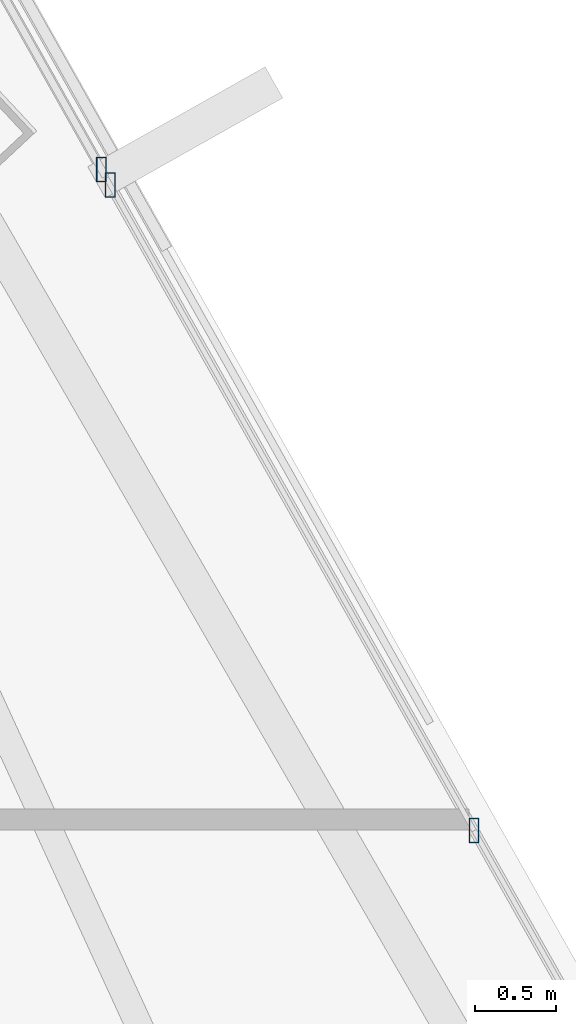
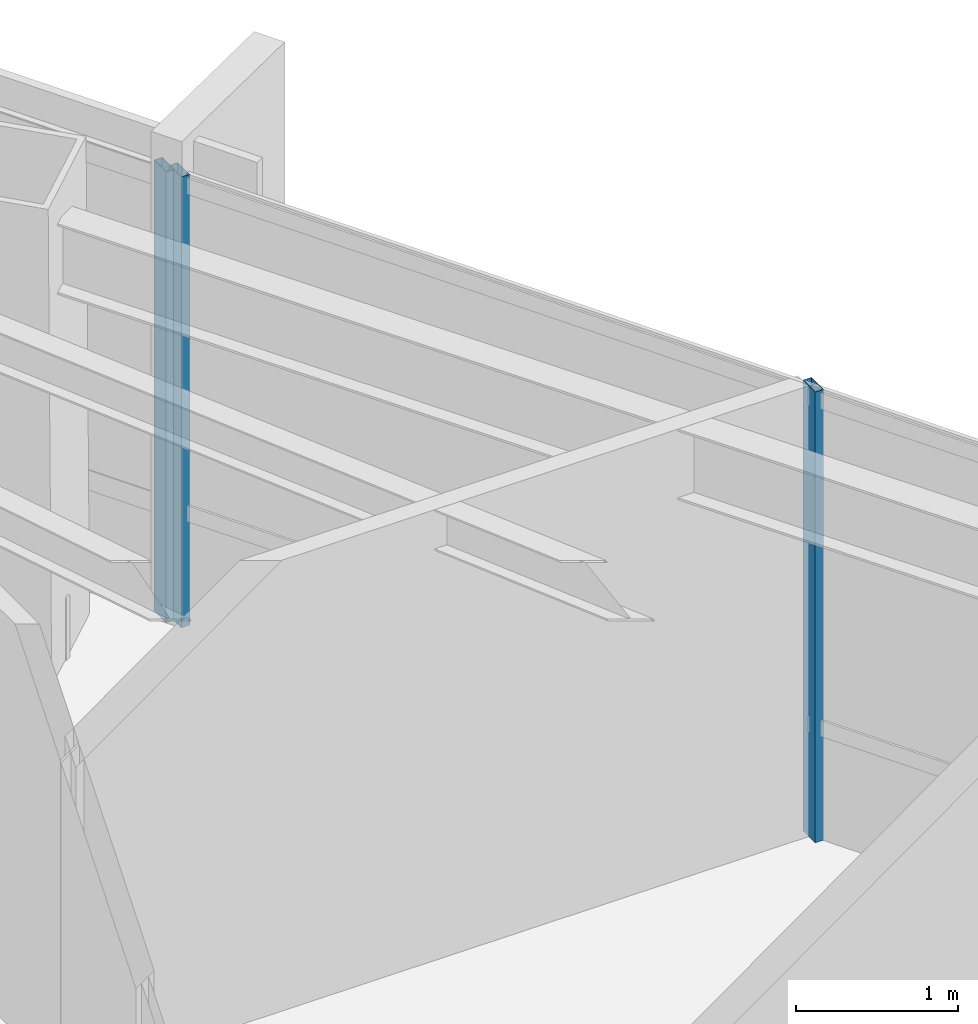
# One storey, part 24 of 44: 3 members, 2 elements without a shape of their own.
"""IFC4 building model written with IfcOpenShell, lengths in metres."""

import ifcopenshell
import ifcopenshell.guid

model = None  # the IFC model being written
_history = None  # IfcOwnerHistory: only IFC2X3 demands one
_inside = {}  # id of a spatial element -> (the spatial element, [elements in it])
_under = {}  # id of a project, library or spatial element -> (it, [spatial elements below it])
_declared = {}  # id of a project -> (the project, [libraries it declares])
_typed = {}  # id of a type object -> (the type object, [elements of that type])
_made_of = {}  # id of a material, layer set ... -> (it, [elements and type objects made of it])


def new_model(schema):
    """Start an empty IFC model of exactly this schema.

    Asked for "IFC4X3", IfcOpenShell would pick the latest addendum, in which some entities
    have other attributes; the version numbers below select the first issue.
    IFC2X3 requires an IfcOwnerHistory on every rooted entity: one is made here for all.
    """
    global model, _history
    if schema == "IFC4X3":
        model = ifcopenshell.file(schema_version=(4, 3, 0, 0))
    else:
        model = ifcopenshell.file(schema=schema)
    _inside.clear()
    _under.clear()
    _declared.clear()
    _typed.clear()
    _made_of.clear()
    _history = None
    if model.schema == "IFC2X3":
        org = make("IfcOrganization", Name="unknown")
        user = make(
            "IfcPersonAndOrganization",
            ThePerson=make("IfcPerson", FamilyName="unknown"),
            TheOrganization=org,
        )
        app = make(
            "IfcApplication",
            ApplicationDeveloper=org,
            Version="unknown",
            ApplicationFullName="unknown",
            ApplicationIdentifier="unknown",
        )
        _history = make(
            "IfcOwnerHistory",
            OwningUser=user,
            OwningApplication=app,
            ChangeAction="ADDED",
            CreationDate=0,
        )
    return model


def make(cls, **values):
    """One entity of the class cls with the attributes given. An attribute that is None is left unset."""
    return model.create_entity(
        cls, **{name: value for name, value in values.items() if value is not None}
    )


def rooted(cls, **values):
    """An entity with a GlobalId (a new one), such as an element, a storey or a relation."""
    return make(cls, GlobalId=ifcopenshell.guid.new(), OwnerHistory=_history, **values)


def si_unit(unit_type, name, prefix=None):
    """IfcSIUnit, for example si_unit("LENGTHUNIT", "METRE", prefix="MILLI")."""
    return make("IfcSIUnit", UnitType=unit_type, Prefix=prefix, Name=name)


def assignment(units):
    """IfcUnitAssignment: the units of a project."""
    return None if units is None else make("IfcUnitAssignment", Units=units)


def point(xyz):
    """IfcCartesianPoint."""
    return None if xyz is None else make("IfcCartesianPoint", Coordinates=xyz)


def direction(xyz):
    """IfcDirection."""
    return None if xyz is None else make("IfcDirection", DirectionRatios=xyz)


def frame(location, z_axis=None, x_axis=None):
    """IfcAxis2Placement3D, a coordinate frame: its origin and axes. An axis left out is left unset."""
    return make(
        "IfcAxis2Placement3D",
        Location=point(location),
        Axis=direction(z_axis),
        RefDirection=direction(x_axis),
    )


def frame_2d(location, x_axis=None):
    """IfcAxis2Placement2D, a coordinate frame in the plane: its origin and x axis."""
    return make(
        "IfcAxis2Placement2D", Location=point(location), RefDirection=direction(x_axis)
    )


def origin():
    """The frame at (0, 0, 0) with its axes left unset."""
    return frame((0.0, 0.0, 0.0))


def origin_2d():
    """The frame at (0, 0) in the plane with its x axis left unset."""
    return frame_2d((0.0, 0.0))


def place(relative_to, where):
    """IfcLocalPlacement: puts the frame where relative to a parent placement (None: the world)."""
    return make(
        "IfcLocalPlacement", PlacementRelTo=relative_to, RelativePlacement=where
    )


def context(
    kind, dimensions, precision=None, world=None, true_north=None, identifier=None
):
    """IfcGeometricRepresentationContext, for example the 3D "Model" context."""
    return make(
        "IfcGeometricRepresentationContext",
        ContextIdentifier=identifier,
        ContextType=kind,
        CoordinateSpaceDimension=dimensions,
        Precision=precision,
        WorldCoordinateSystem=world,
        TrueNorth=true_north,
    )


def subcontext(parent, identifier, kind, view, scale=None):
    """IfcGeometricRepresentationSubContext, for example "Body" below "Model"."""
    return make(
        "IfcGeometricRepresentationSubContext",
        ContextIdentifier=identifier,
        ContextType=kind,
        ParentContext=parent,
        TargetScale=scale,
        TargetView=view,
    )


def project(units=None, contexts=None):
    """IfcProject with its units and contexts."""
    return rooted(
        "IfcProject",
        Name="project",
        RepresentationContexts=contexts,
        UnitsInContext=assignment(units),
    )


def spatial(cls, under=None, at=None, **own):
    """A site, building, storey or space (cls), placed at a placement, below another one or the project."""
    s = rooted(cls, ObjectPlacement=at, **own)
    if under is not None:
        _under.setdefault(under.id(), (under, []))[1].append(s)
    return s


def profile(cls, at=None, kind="AREA", **sizes):
    """A parametric profile (cls). Its sizes go by their IFC names, for example OverallWidth=200.0."""
    return make(cls, ProfileType=kind, Position=at, **sizes)


def hollow_rectangle(**sizes):
    """IfcRectangleHollowProfileDef."""
    return profile("IfcRectangleHollowProfileDef", **sizes)


def extrude(swept, where, along, depth):
    """IfcExtrudedAreaSolid: the profile swept, set in the frame where, extruded along a direction by depth."""
    return make(
        "IfcExtrudedAreaSolid",
        SweptArea=swept,
        Position=where,
        ExtrudedDirection=direction(along),
        Depth=depth,
    )


def shape(context_of_items, identifier, shape_type, items):
    """IfcShapeRepresentation: the items that make up one representation, for example the "Body"."""
    return make(
        "IfcShapeRepresentation",
        ContextOfItems=context_of_items,
        RepresentationIdentifier=identifier,
        RepresentationType=shape_type,
        Items=items,
    )


def source(mapping_origin, context_of_items, identifier, shape_type, items):
    """IfcRepresentationMap: a shape defined once, which mapped items show again and again."""
    return make(
        "IfcRepresentationMap",
        MappingOrigin=mapping_origin,
        MappedRepresentation=shape(context_of_items, identifier, shape_type, items),
    )


def transform(
    local_origin,
    x_axis=None,
    y_axis=None,
    z_axis=None,
    scale=None,
    scale2=None,
    scale3=None,
    uniform=True,
):
    """IfcCartesianTransformationOperator3D, or its non-uniform kind. x_axis, y_axis, z_axis: its Axis1, 2, 3."""
    if uniform:
        return make(
            "IfcCartesianTransformationOperator3D",
            Axis1=direction(x_axis),
            Axis2=direction(y_axis),
            LocalOrigin=point(local_origin),
            Scale=scale,
            Axis3=direction(z_axis),
        )
    return make(
        "IfcCartesianTransformationOperator3DnonUniform",
        Axis1=direction(x_axis),
        Axis2=direction(y_axis),
        LocalOrigin=point(local_origin),
        Scale=scale,
        Axis3=direction(z_axis),
        Scale2=scale2,
        Scale3=scale3,
    )


def mapped(mapping_source, mapping_target):
    """IfcMappedItem: shows the shape of a source again, moved by a transform."""
    return make(
        "IfcMappedItem", MappingSource=mapping_source, MappingTarget=mapping_target
    )


def material(Name=None, Category=None):
    """IfcMaterial."""
    return make("IfcMaterial", Name=Name, Category=Category)


def material_profile(
    of_material, cross_section, Name=None, Category=None, Priority=None
):
    """IfcMaterialProfile: a cross section and its material."""
    return make(
        "IfcMaterialProfile",
        Name=Name,
        Material=of_material,
        Profile=cross_section,
        Priority=Priority,
        Category=Category,
    )


def profile_set(profiles, Name=None, composite=None):
    """IfcMaterialProfileSet."""
    return make(
        "IfcMaterialProfileSet",
        Name=Name,
        MaterialProfiles=profiles,
        CompositeProfile=composite,
    )


def made_of(thing, what):
    """Note that an element or type object is made of a material, layer set ...; save() writes the relation."""
    if what is not None:
        _made_of.setdefault(what.id(), (what, []))[1].append(thing)
    return thing


def type_object(cls, material=None, **own):
    """A type object (cls), such as IfcWallType, which elements share."""
    return made_of(rooted(cls, **own), material)


def type_shapes(of_type, sources):
    """Give a type object the sources (RepresentationMaps) that its elements show as mapped items."""
    of_type.RepresentationMaps = sources


def element(
    cls,
    number,
    at=None,
    inside=None,
    cuts=None,
    type_object=None,
    material=None,
    context=None,
    identifier="Body",
    shape_type=None,
    held_by="IfcProductDefinitionShape",
    body=None,
    shapes=None,
    **own,
):
    """One element of the class cls, such as IfcWall. Its Tag is "e" and its number.

    at: its placement. inside: the storey or other place that contains it. cuts: it is an
    opening in that element (IfcRelVoidsElement). A single representation is given by context,
    identifier, shape_type and body (its items); several are given by shapes. held_by: the class
    of the entity that holds the representations. save() writes the other relations.
    """
    e = rooted(cls, Tag="e%d" % number, ObjectPlacement=at, **own)
    if body is not None:
        shapes = [shape(context, identifier, shape_type, body)]
    if shapes is not None:
        e.Representation = make(held_by, Representations=shapes)
    if inside is not None:
        _inside.setdefault(inside.id(), (inside, []))[1].append(e)
    if cuts is not None:
        rooted(
            "IfcRelVoidsElement", RelatingBuildingElement=cuts, RelatedOpeningElement=e
        )
    if type_object is not None:
        _typed.setdefault(type_object.id(), (type_object, []))[1].append(e)
    return made_of(e, material)


def aggregate(whole, parts):
    """IfcRelAggregates: a whole, such as a stair, and the parts it consists of."""
    return rooted("IfcRelAggregates", RelatingObject=whole, RelatedObjects=parts)


def save(model, path):
    """Write the relations noted so far, then the file.

    IfcRelAggregates (storeys below a building ...), IfcRelContainedInSpatialStructure (elements
    in a storey), IfcRelDefinesByType, IfcRelAssociatesMaterial and IfcRelDeclares: one each for
    every whole, place, type object, material and project.
    """
    for whole, parts in _under.values():
        aggregate(whole, parts)
    for where, things in _inside.values():
        rooted(
            "IfcRelContainedInSpatialStructure",
            RelatedElements=things,
            RelatingStructure=where,
        )
    for kind, things in _typed.values():
        rooted("IfcRelDefinesByType", RelatedObjects=things, RelatingType=kind)
    for what, things in _made_of.values():
        rooted("IfcRelAssociatesMaterial", RelatedObjects=things, RelatingMaterial=what)
    for by, libraries in _declared.values():
        rooted("IfcRelDeclares", RelatingContext=by, RelatedDefinitions=libraries)
    model.write(path)


model = new_model("IFC4")

# Units and contexts
model_context = context("Model", 3, precision=1e-05, world=origin(), true_north=direction((0.0, 1.0)))
body_context = subcontext(model_context, "Body", "Model", "MODEL_VIEW")
ifc_project = project(units=[si_unit("LENGTHUNIT", "METRE"), si_unit("AREAUNIT", "SQUARE_METRE"), si_unit("VOLUMEUNIT", "CUBIC_METRE"), si_unit("PLANEANGLEUNIT", "RADIAN"), si_unit("MASSUNIT", "GRAM", prefix="KILO")], contexts=[model_context])

# Site, building, storey
site_placement = place(None, origin())
site = spatial("IfcSite", under=ifc_project, at=site_placement, CompositionType="ELEMENT")
building_placement = place(site_placement, origin())
building = spatial("IfcBuilding", under=site, at=building_placement, Name="Caelisora Broadcast Tower", CompositionType="ELEMENT")
storey_placement = place(building_placement, frame((0.0, 0.0, 198.64990234375)))
storey = spatial("IfcBuildingStorey", under=building, at=storey_placement, Name="L52", CompositionType="ELEMENT", Elevation=198.64990234375)

# Curtain wall, member
ifc_material_1 = material(Name="Unitised Aluminium Insulated Shadow-Box Spandrel Curtain Wall", Category="aluminium")
curtain_wall_type_1 = type_object("IfcCurtainWallType", Name="CW-SP2", PredefinedType="NOTDEFINED", material=ifc_material_1)
curtain_wall_1_placement = place(storey_placement, origin())
curtain_wall_1 = element("IfcCurtainWall", 1, at=curtain_wall_1_placement, inside=storey, type_object=curtain_wall_type_1, Name="L52 curtain wall CW-SP2", PredefinedType="NOTDEFINED")
ifc_material_2 = material(Name="Aluminium 6063-T6 Anodised Terracotta Bronze", Category="aluminium")
ifc_material_profile = material_profile(ifc_material_2, hollow_rectangle(XDim=0.06005859375, YDim=0.14990234375, WallThickness=0.00341796875, at=origin_2d()), Name="Aluminium 6063-T6 Anodised Terracotta Bronze")
ifc_profile_set = profile_set([ifc_material_profile], Name="Aluminium 6063-T6 Anodised Terracotta Bronze")
member_type = type_object("IfcMemberType", Name="CWM-03", PredefinedType="MULLION", material=ifc_profile_set)
shared_shape = source(origin(), body_context, "Body", "SweptSolid", [
    extrude(hollow_rectangle(XDim=0.06005859375, YDim=0.14990234375, WallThickness=0.00341796875, at=origin_2d()), origin(), (0.0, 0.0, 1.0), 3.400146484375),
])
type_shapes(member_type, [shared_shape])
member_1_placement = place(storey_placement, frame((55.477783203125, 26.76123046875, 0.0), z_axis=(0.0, 0.0, 1.0), x_axis=(1.0, 0.0, 0.0)))
member_1 = element("IfcMember", 2, at=member_1_placement, type_object=member_type, Name="L52-CW-B02 mullion #3", PredefinedType="MULLION", context=body_context, shape_type="MappedRepresentation", body=[
    mapped(shared_shape, transform((0.0, 0.0, 0.0), scale=1.0)),
])
aggregate(curtain_wall_1, [member_1])

# Curtain wall, members
ifc_material_3 = material(Name="Unitised Aluminium and Low-E Glass Curtain Wall", Category="glass")
curtain_wall_type_2 = type_object("IfcCurtainWallType", Name="CW-Z4", PredefinedType="NOTDEFINED", material=ifc_material_3)
curtain_wall_2_placement = place(storey_placement, origin())
curtain_wall_2 = element("IfcCurtainWall", 3, at=curtain_wall_2_placement, inside=storey, type_object=curtain_wall_type_2, Name="L52 curtain wall CW-Z4", PredefinedType="NOTDEFINED")
member_2_placement = place(storey_placement, frame((55.531982421875, 26.665283203125, 0.0), z_axis=(0.0, 0.0, 1.0), x_axis=(1.0, 0.0, 0.0)))
member_2 = element("IfcMember", 4, at=member_2_placement, type_object=member_type, Name="L52-CW-B03 mullion #0", PredefinedType="MULLION", context=body_context, shape_type="MappedRepresentation", body=[
    mapped(shared_shape, transform((0.0, 0.0, 0.0), scale=1.0)),
])
member_3_placement = place(storey_placement, frame((57.765625, 22.701904296875, 0.0), z_axis=(0.0, 0.0, 1.0), x_axis=(1.0, 0.0, 0.0)))
member_3 = element("IfcMember", 5, at=member_3_placement, type_object=member_type, Name="L52-CW-B03 mullion #1", PredefinedType="MULLION", context=body_context, shape_type="MappedRepresentation", body=[
    mapped(shared_shape, transform((0.0, 0.0, 0.0), scale=1.0)),
])
aggregate(curtain_wall_2, [member_2, member_3])

save(model, "model.ifc")
